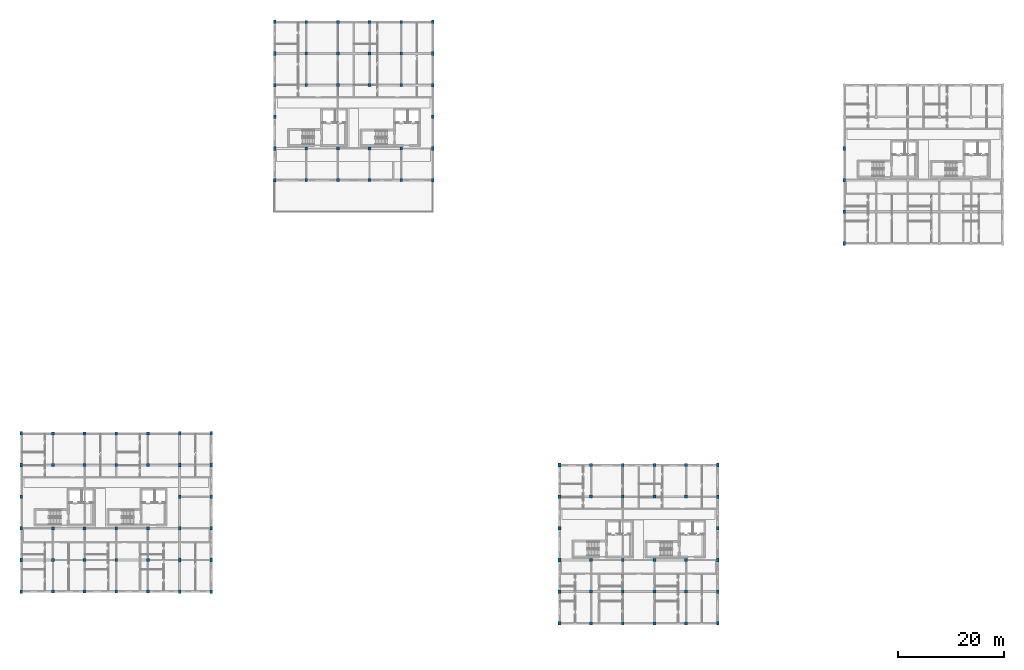
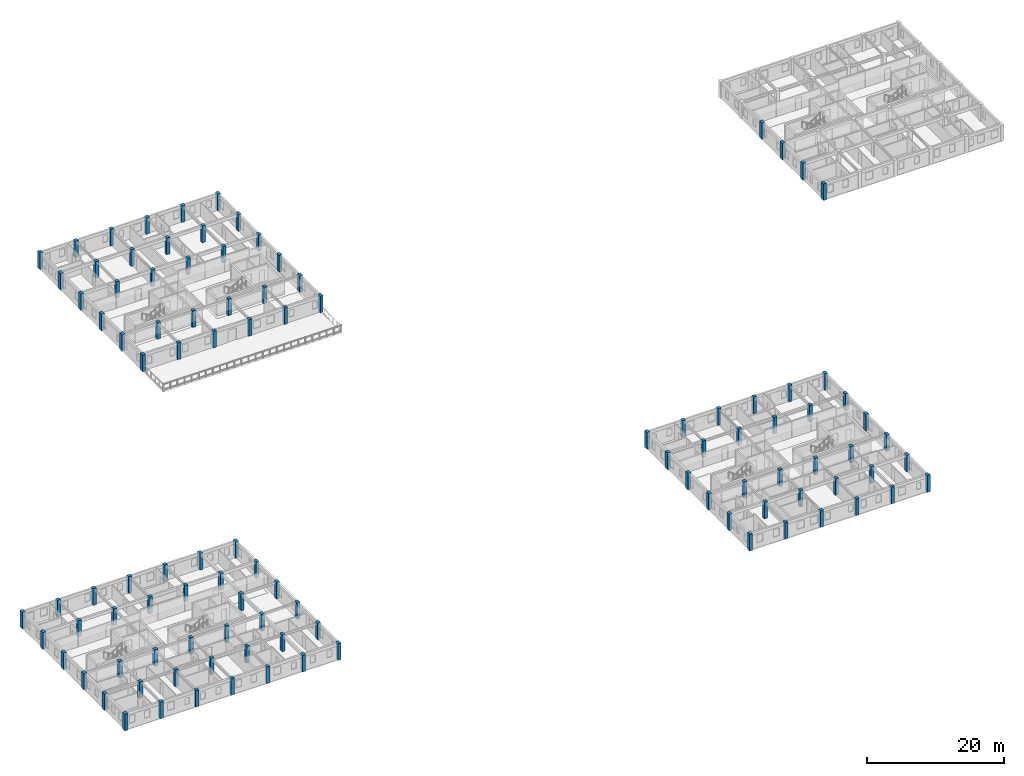
# One storey, part 1 of 28: 106 columns.
"""IFC4 building model written with IfcOpenShell, lengths in metres."""

from ifc_helpers import new_model, si_unit, direction, frame, origin, origin_2d, place, context, subcontext, project, spatial, rectangle, extrude, material, material_profile, profile_set, type_object, element, save


model = new_model("IFC4")

# Units and contexts
model_context = context("Model", 3, precision=1e-05, world=origin(), true_north=direction((0.0, 1.0)))
body_context = subcontext(model_context, "Body", "Model", "MODEL_VIEW")
ifc_project = project(units=[si_unit("LENGTHUNIT", "METRE"), si_unit("AREAUNIT", "SQUARE_METRE"), si_unit("VOLUMEUNIT", "CUBIC_METRE"), si_unit("PLANEANGLEUNIT", "RADIAN"), si_unit("MASSUNIT", "GRAM", prefix="KILO"), si_unit("POWERUNIT", "WATT"), si_unit("THERMODYNAMICTEMPERATUREUNIT", "KELVIN")], contexts=[model_context])

# Site, building, storey
site_placement = place(None, origin())
site = spatial("IfcSite", under=ifc_project, at=site_placement, CompositionType="ELEMENT")
building_placement = place(site_placement, origin())
building = spatial("IfcBuilding", under=site, at=building_placement, Name="Ruvembo Vaulted Housing Court", CompositionType="ELEMENT")
storey_placement = place(building_placement, frame((0.0, 0.0, 23.699951171875)))
storey = spatial("IfcBuildingStorey", under=building, at=storey_placement, Name="L07", CompositionType="ELEMENT", Elevation=23.699951171875)

# Columns
ifc_material = material(Name="Concrete C35/45", Category="concrete")
ifc_material_profile_1 = material_profile(ifc_material, rectangle(XDim=0.5, YDim=0.699951171875, at=origin_2d()), Name="RC 500x700")
ifc_profile_set_1 = profile_set([ifc_material_profile_1], Name="Concrete C35/45")
column_type_1 = type_object("IfcColumnType", Name="COL-RC-500x700", PredefinedType="COLUMN", material=ifc_profile_set_1)
for number, where, z_axis, x_axis, name in (
    (1, (0.0, 6.0, 0.0), (0.0, 0.0, 1.0), (1.0, 0.0, 0.0), "L07 Column (0,6)"),
    (2, (0.0, 12.0, 0.0), (0.0, 0.0, 1.0), (1.0, 0.0, 0.0), "L07 Column (0,12)"),
    (3, (0.0, 18.0, 0.0), (0.0, 0.0, 1.0), (1.0, 0.0, 0.0), "L07 Column (0,18)"),
    (4, (0.0, 24.0, 0.0), (0.0, 0.0, 1.0), (1.0, 0.0, 0.0), "L07 Column (0,24)"),
    (5, (0.0, 30.0, 0.0), (0.0, 0.0, 1.0), (1.0, 0.0, 0.0), "L07 Column (0,30)"),
    (6, (0.0, 36.0, 0.0), (0.0, 0.0, 1.0), (1.0, 0.0, 0.0), "L07 Column (0,36)"),
    (7, (30.0, 6.0, 0.0), (0.0, 0.0, 1.0), (1.0, 0.0, 0.0), "L07 Column (30,6)"),
    (8, (30.0, 12.0, 0.0), (0.0, 0.0, 1.0), (1.0, 0.0, 0.0), "L07 Column (30,12)"),
    (9, (30.0, 18.0, 0.0), (0.0, 0.0, 1.0), (1.0, 0.0, 0.0), "L07 Column (30,18)"),
    (10, (30.0, 24.0, 0.0), (0.0, 0.0, 1.0), (1.0, 0.0, 0.0), "L07 Column (30,24)"),
    (11, (30.0, 30.0, 0.0), (0.0, 0.0, 1.0), (1.0, 0.0, 0.0), "L07 Column (30,30)"),
    (12, (30.0, 36.0, 0.0), (0.0, 0.0, 1.0), (1.0, 0.0, 0.0), "L07 Column (30,36)"),
    (13, (36.0, 6.0, 0.0), (0.0, 0.0, 1.0), (1.0, 0.0, 0.0), "L07 Column (36,6)"),
    (14, (36.0, 12.0, 0.0), (0.0, 0.0, 1.0), (1.0, 0.0, 0.0), "L07 Column (36,12)"),
    (15, (36.0, 18.0, 0.0), (0.0, 0.0, 1.0), (1.0, 0.0, 0.0), "L07 Column (36,18)"),
    (16, (36.0, 24.0, 0.0), (0.0, 0.0, 1.0), (1.0, 0.0, 0.0), "L07 Column (36,24)"),
    (17, (36.0, 30.0, 0.0), (0.0, 0.0, 1.0), (1.0, 0.0, 0.0), "L07 Column (36,30)"),
    (18, (36.0, 36.0, 0.0), (0.0, 0.0, 1.0), (1.0, 0.0, 0.0), "L07 Column (36,36)"),
    (19, (48.0, 84.0, 0.0), (0.0, 0.0, 1.0), (1.0, 0.0, 0.0), "L07 Column (48,84)"),
    (20, (48.0, 90.0, 0.0), (0.0, 0.0, 1.0), (1.0, 0.0, 0.0), "L07 Column (48,90)"),
    (21, (48.0, 96.0, 0.0), (0.0, 0.0, 1.0), (1.0, 0.0, 0.0), "L07 Column (48,96)"),
    (22, (48.0, 102.0, 0.0), (0.0, 0.0, 1.0), (1.0, 0.0, 0.0), "L07 Column (48,102)"),
    (23, (48.0, 108.0, 0.0), (0.0, 0.0, 1.0), (1.0, 0.0, 0.0), "L07 Column (48,108)"),
    (24, (48.0, 114.0, 0.0), (0.0, 0.0, 1.0), (1.0, 0.0, 0.0), "L07 Column (48,114)"),
    (25, (78.0, 84.0, 0.0), (0.0, 0.0, 1.0), (1.0, 0.0, 0.0), "L07 Column (78,84)"),
    (26, (78.0, 90.0, 0.0), (0.0, 0.0, 1.0), (1.0, 0.0, 0.0), "L07 Column (78,90)"),
    (27, (78.0, 96.0, 0.0), (0.0, 0.0, 1.0), (1.0, 0.0, 0.0), "L07 Column (78,96)"),
    (28, (78.0, 102.0, 0.0), (0.0, 0.0, 1.0), (1.0, 0.0, 0.0), "L07 Column (78,102)"),
    (29, (78.0, 108.0, 0.0), (0.0, 0.0, 1.0), (1.0, 0.0, 0.0), "L07 Column (78,108)"),
    (30, (78.0, 114.0, 0.0), (0.0, 0.0, 1.0), (1.0, 0.0, 0.0), "L07 Column (78,114)"),
    (31, (102.0, 0.0, 0.0), (0.0, 0.0, 1.0), (1.0, 0.0, 0.0), "L07 Column (102,0)"),
    (32, (102.0, 6.0, 0.0), (0.0, 0.0, 1.0), (1.0, 0.0, 0.0), "L07 Column (102,6)"),
    (33, (102.0, 12.0, 0.0), (0.0, 0.0, 1.0), (1.0, 0.0, 0.0), "L07 Column (102,12)"),
    (34, (102.0, 18.0, 0.0), (0.0, 0.0, 1.0), (1.0, 0.0, 0.0), "L07 Column (102,18)"),
    (35, (102.0, 24.0, 0.0), (0.0, 0.0, 1.0), (1.0, 0.0, 0.0), "L07 Column (102,24)"),
    (36, (102.0, 30.0, 0.0), (0.0, 0.0, 1.0), (1.0, 0.0, 0.0), "L07 Column (102,30)"),
    (37, (132.0, 0.0, 0.0), (0.0, 0.0, 1.0), (1.0, 0.0, 0.0), "L07 Column (132,0)"),
    (38, (132.0, 6.0, 0.0), (0.0, 0.0, 1.0), (1.0, 0.0, 0.0), "L07 Column (132,6)"),
    (39, (132.0, 12.0, 0.0), (0.0, 0.0, 1.0), (1.0, 0.0, 0.0), "L07 Column (132,12)"),
    (40, (132.0, 18.0, 0.0), (0.0, 0.0, 1.0), (1.0, 0.0, 0.0), "L07 Column (132,18)"),
    (41, (132.0, 24.0, 0.0), (0.0, 0.0, 1.0), (1.0, 0.0, 0.0), "L07 Column (132,24)"),
    (42, (132.0, 30.0, 0.0), (0.0, 0.0, 1.0), (1.0, 0.0, 0.0), "L07 Column (132,30)"),
    (43, (156.0, 72.0, 0.0), (0.0, 0.0, 1.0), (1.0, 0.0, 0.0), "L07 Column (156,72)"),
    (44, (156.0, 78.0, 0.0), (0.0, 0.0, 1.0), (1.0, 0.0, 0.0), "L07 Column (156,78)"),
    (45, (156.0, 84.0, 0.0), (0.0, 0.0, 1.0), (1.0, 0.0, 0.0), "L07 Column (156,84)"),
    (46, (156.0, 90.0, 0.0), (0.0, 0.0, 1.0), (1.0, 0.0, 0.0), "L07 Column (156,90)"),
):
    element("IfcColumn", number, at=place(storey_placement, frame(where, z_axis=z_axis, x_axis=x_axis)), inside=storey, type_object=column_type_1, Name=name, PredefinedType="COLUMN", context=body_context, shape_type="SweptSolid", body=[
        extrude(rectangle(XDim=0.5, YDim=0.699951171875, at=origin_2d()), origin(), (0.0, 0.0, 1.0), 2.97509765625),
    ])
ifc_material_profile_2 = material_profile(ifc_material, rectangle(XDim=0.550048828125, YDim=0.550048828125, at=origin_2d()), Name="RC 550x550")
ifc_profile_set_2 = profile_set([ifc_material_profile_2], Name="Concrete C35/45")
column_type_2 = type_object("IfcColumnType", Name="COL-RC-550", PredefinedType="COLUMN", material=ifc_profile_set_2)
for number, where, z_axis, x_axis, name in (
    (47, (6.0, 6.0, 0.0), (0.0, 0.0, 1.0), (1.0, 0.0, 0.0), "L07 Column (6,6)"),
    (48, (6.0, 12.0, 0.0), (0.0, 0.0, 1.0), (1.0, 0.0, 0.0), "L07 Column (6,12)"),
    (49, (6.0, 18.0, 0.0), (0.0, 0.0, 1.0), (1.0, 0.0, 0.0), "L07 Column (6,18)"),
    (50, (6.0, 30.0, 0.0), (0.0, 0.0, 1.0), (1.0, 0.0, 0.0), "L07 Column (6,30)"),
    (51, (6.0, 36.0, 0.0), (0.0, 0.0, 1.0), (1.0, 0.0, 0.0), "L07 Column (6,36)"),
    (52, (12.0, 6.0, 0.0), (0.0, 0.0, 1.0), (1.0, 0.0, 0.0), "L07 Column (12,6)"),
    (53, (12.0, 12.0, 0.0), (0.0, 0.0, 1.0), (1.0, 0.0, 0.0), "L07 Column (12,12)"),
    (54, (12.0, 18.0, 0.0), (0.0, 0.0, 1.0), (1.0, 0.0, 0.0), "L07 Column (12,18)"),
    (55, (12.0, 30.0, 0.0), (0.0, 0.0, 1.0), (1.0, 0.0, 0.0), "L07 Column (12,30)"),
    (56, (12.0, 36.0, 0.0), (0.0, 0.0, 1.0), (1.0, 0.0, 0.0), "L07 Column (12,36)"),
    (57, (18.0, 6.0, 0.0), (0.0, 0.0, 1.0), (1.0, 0.0, 0.0), "L07 Column (18,6)"),
    (58, (18.0, 12.0, 0.0), (0.0, 0.0, 1.0), (1.0, 0.0, 0.0), "L07 Column (18,12)"),
    (59, (18.0, 18.0, 0.0), (0.0, 0.0, 1.0), (1.0, 0.0, 0.0), "L07 Column (18,18)"),
    (60, (18.0, 30.0, 0.0), (0.0, 0.0, 1.0), (1.0, 0.0, 0.0), "L07 Column (18,30)"),
    (61, (18.0, 36.0, 0.0), (0.0, 0.0, 1.0), (1.0, 0.0, 0.0), "L07 Column (18,36)"),
    (62, (24.0, 6.0, 0.0), (0.0, 0.0, 1.0), (1.0, 0.0, 0.0), "L07 Column (24,6)"),
    (63, (24.0, 12.0, 0.0), (0.0, 0.0, 1.0), (1.0, 0.0, 0.0), "L07 Column (24,12)"),
    (64, (24.0, 18.0, 0.0), (0.0, 0.0, 1.0), (1.0, 0.0, 0.0), "L07 Column (24,18)"),
    (65, (24.0, 30.0, 0.0), (0.0, 0.0, 1.0), (1.0, 0.0, 0.0), "L07 Column (24,30)"),
    (66, (24.0, 36.0, 0.0), (0.0, 0.0, 1.0), (1.0, 0.0, 0.0), "L07 Column (24,36)"),
    (67, (54.0, 84.0, 0.0), (0.0, 0.0, 1.0), (1.0, 0.0, 0.0), "L07 Column (54,84)"),
    (68, (54.0, 90.0, 0.0), (0.0, 0.0, 1.0), (1.0, 0.0, 0.0), "L07 Column (54,90)"),
    (69, (54.0, 102.0, 0.0), (0.0, 0.0, 1.0), (1.0, 0.0, 0.0), "L07 Column (54,102)"),
    (70, (54.0, 108.0, 0.0), (0.0, 0.0, 1.0), (1.0, 0.0, 0.0), "L07 Column (54,108)"),
    (71, (54.0, 114.0, 0.0), (0.0, 0.0, 1.0), (1.0, 0.0, 0.0), "L07 Column (54,114)"),
    (72, (60.0, 84.0, 0.0), (0.0, 0.0, 1.0), (1.0, 0.0, 0.0), "L07 Column (60,84)"),
    (73, (60.0, 90.0, 0.0), (0.0, 0.0, 1.0), (1.0, 0.0, 0.0), "L07 Column (60,90)"),
    (74, (60.0, 102.0, 0.0), (0.0, 0.0, 1.0), (1.0, 0.0, 0.0), "L07 Column (60,102)"),
    (75, (60.0, 108.0, 0.0), (0.0, 0.0, 1.0), (1.0, 0.0, 0.0), "L07 Column (60,108)"),
    (76, (60.0, 114.0, 0.0), (0.0, 0.0, 1.0), (1.0, 0.0, 0.0), "L07 Column (60,114)"),
    (77, (66.0, 84.0, 0.0), (0.0, 0.0, 1.0), (1.0, 0.0, 0.0), "L07 Column (66,84)"),
    (78, (66.0, 90.0, 0.0), (0.0, 0.0, 1.0), (1.0, 0.0, 0.0), "L07 Column (66,90)"),
    (79, (66.0, 102.0, 0.0), (0.0, 0.0, 1.0), (1.0, 0.0, 0.0), "L07 Column (66,102)"),
    (80, (66.0, 108.0, 0.0), (0.0, 0.0, 1.0), (1.0, 0.0, 0.0), "L07 Column (66,108)"),
    (81, (66.0, 114.0, 0.0), (0.0, 0.0, 1.0), (1.0, 0.0, 0.0), "L07 Column (66,114)"),
    (82, (72.0, 84.0, 0.0), (0.0, 0.0, 1.0), (1.0, 0.0, 0.0), "L07 Column (72,84)"),
    (83, (72.0, 90.0, 0.0), (0.0, 0.0, 1.0), (1.0, 0.0, 0.0), "L07 Column (72,90)"),
    (84, (72.0, 102.0, 0.0), (0.0, 0.0, 1.0), (1.0, 0.0, 0.0), "L07 Column (72,102)"),
    (85, (72.0, 108.0, 0.0), (0.0, 0.0, 1.0), (1.0, 0.0, 0.0), "L07 Column (72,108)"),
    (86, (72.0, 114.0, 0.0), (0.0, 0.0, 1.0), (1.0, 0.0, 0.0), "L07 Column (72,114)"),
    (87, (108.0, 0.0, 0.0), (0.0, 0.0, 1.0), (1.0, 0.0, 0.0), "L07 Column (108,0)"),
    (88, (108.0, 6.0, 0.0), (0.0, 0.0, 1.0), (1.0, 0.0, 0.0), "L07 Column (108,6)"),
    (89, (108.0, 12.0, 0.0), (0.0, 0.0, 1.0), (1.0, 0.0, 0.0), "L07 Column (108,12)"),
    (90, (108.0, 24.0, 0.0), (0.0, 0.0, 1.0), (1.0, 0.0, 0.0), "L07 Column (108,24)"),
    (91, (108.0, 30.0, 0.0), (0.0, 0.0, 1.0), (1.0, 0.0, 0.0), "L07 Column (108,30)"),
    (92, (114.0, 0.0, 0.0), (0.0, 0.0, 1.0), (1.0, 0.0, 0.0), "L07 Column (114,0)"),
    (93, (114.0, 6.0, 0.0), (0.0, 0.0, 1.0), (1.0, 0.0, 0.0), "L07 Column (114,6)"),
    (94, (114.0, 12.0, 0.0), (0.0, 0.0, 1.0), (1.0, 0.0, 0.0), "L07 Column (114,12)"),
    (95, (114.0, 24.0, 0.0), (0.0, 0.0, 1.0), (1.0, 0.0, 0.0), "L07 Column (114,24)"),
    (96, (114.0, 30.0, 0.0), (0.0, 0.0, 1.0), (1.0, 0.0, 0.0), "L07 Column (114,30)"),
    (97, (120.0, 0.0, 0.0), (0.0, 0.0, 1.0), (1.0, 0.0, 0.0), "L07 Column (120,0)"),
    (98, (120.0, 6.0, 0.0), (0.0, 0.0, 1.0), (1.0, 0.0, 0.0), "L07 Column (120,6)"),
    (99, (120.0, 12.0, 0.0), (0.0, 0.0, 1.0), (1.0, 0.0, 0.0), "L07 Column (120,12)"),
    (100, (120.0, 24.0, 0.0), (0.0, 0.0, 1.0), (1.0, 0.0, 0.0), "L07 Column (120,24)"),
    (101, (120.0, 30.0, 0.0), (0.0, 0.0, 1.0), (1.0, 0.0, 0.0), "L07 Column (120,30)"),
    (102, (126.0, 0.0, 0.0), (0.0, 0.0, 1.0), (1.0, 0.0, 0.0), "L07 Column (126,0)"),
    (103, (126.0, 6.0, 0.0), (0.0, 0.0, 1.0), (1.0, 0.0, 0.0), "L07 Column (126,6)"),
    (104, (126.0, 12.0, 0.0), (0.0, 0.0, 1.0), (1.0, 0.0, 0.0), "L07 Column (126,12)"),
    (105, (126.0, 24.0, 0.0), (0.0, 0.0, 1.0), (1.0, 0.0, 0.0), "L07 Column (126,24)"),
    (106, (126.0, 30.0, 0.0), (0.0, 0.0, 1.0), (1.0, 0.0, 0.0), "L07 Column (126,30)"),
):
    element("IfcColumn", number, at=place(storey_placement, frame(where, z_axis=z_axis, x_axis=x_axis)), inside=storey, type_object=column_type_2, Name=name, PredefinedType="COLUMN", context=body_context, shape_type="SweptSolid", body=[
        extrude(rectangle(XDim=0.550048828125, YDim=0.550048828125, at=origin_2d()), origin(), (0.0, 0.0, 1.0), 2.97509765625),
    ])

save(model, "model.ifc")
